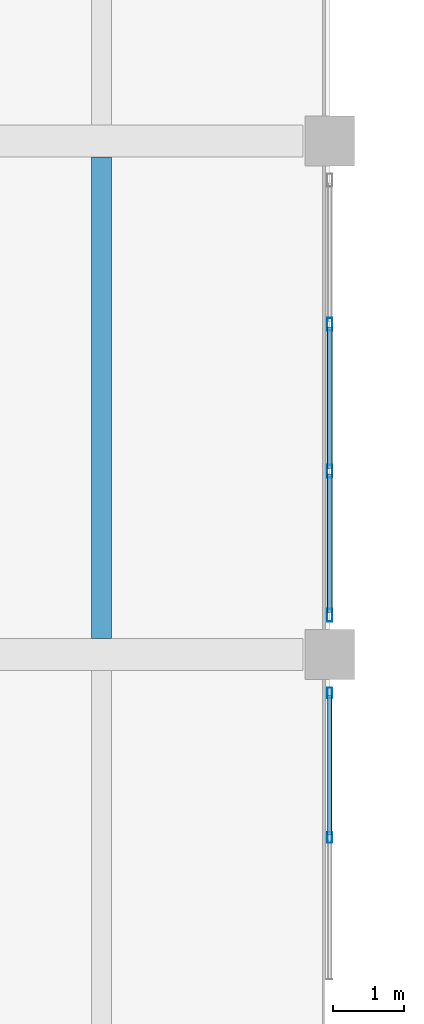
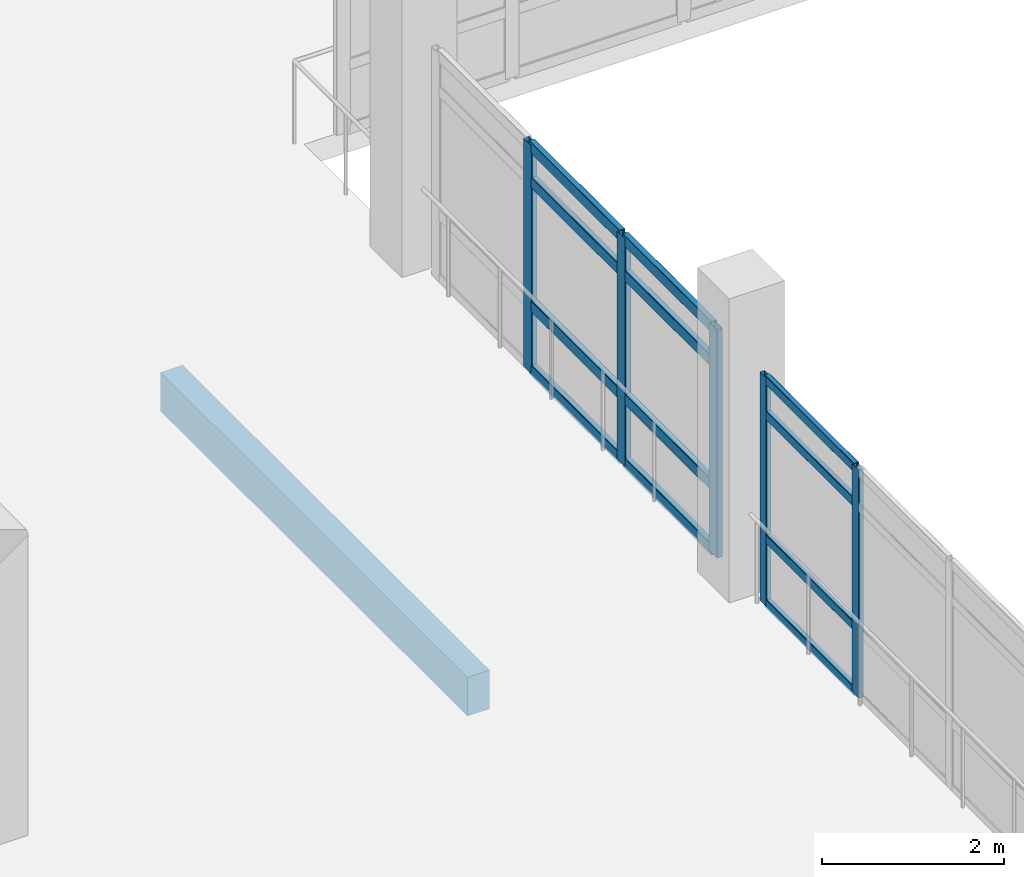
# One storey, part 59 of 180: 17 members, 1 beam, 2 elements without a shape of their own.
"""IFC4 building model written with IfcOpenShell, lengths in metres."""

from ifc_helpers import new_model, si_unit, direction, frame, origin, origin_2d, place, context, subcontext, project, spatial, rectangle, hollow_rectangle, extrude, material, layer, layer_set, material_profile, profile_set, type_object, element, aggregate, save


model = new_model("IFC4")

# Units and contexts
model_context = context("Model", 3, precision=1e-05, world=origin(), true_north=direction((0.0, 1.0)))
body_context = subcontext(model_context, "Body", "Model", "MODEL_VIEW")
ifc_project = project(units=[si_unit("LENGTHUNIT", "METRE"), si_unit("AREAUNIT", "SQUARE_METRE"), si_unit("VOLUMEUNIT", "CUBIC_METRE"), si_unit("PLANEANGLEUNIT", "RADIAN"), si_unit("MASSUNIT", "GRAM", prefix="KILO")], contexts=[model_context])

# Site, building, storey
site_placement = place(None, origin())
site = spatial("IfcSite", under=ifc_project, at=site_placement, CompositionType="ELEMENT")
building_placement = place(site_placement, origin())
building = spatial("IfcBuilding", under=site, at=building_placement, Name="Asteropetra Specialist Clinic", CompositionType="ELEMENT")
storey_placement = place(building_placement, frame((0.0, 0.0, 4.419921875)))
storey = spatial("IfcBuildingStorey", under=building, at=storey_placement, Name="L01", CompositionType="ELEMENT", Elevation=4.419921875)

# Curtain wall, members
ifc_material_1 = material(Name="Aluminium and low-E glass", Category="aluminium")
ifc_layer_1 = layer(ifc_material_1, 0.179931640625)
ifc_layer_set_1 = layer_set([ifc_layer_1], Name="Aluminium and low-E glass")
curtain_wall_type_1 = type_object("IfcCurtainWallType", Name="CW-SYS-10", PredefinedType="USERDEFINED", material=ifc_layer_set_1)
curtain_wall_1_placement = place(storey_placement, origin())
curtain_wall_1 = element("IfcCurtainWall", 1, at=curtain_wall_1_placement, inside=storey, type_object=curtain_wall_type_1, Name="Curtain Wall CW-073", ObjectType="STICK GLAZED COLONNADE", PredefinedType="USERDEFINED")
ifc_material_2 = material(Name="Aluminium 6063-T6", Category="aluminium")
ifc_material_profile_1 = material_profile(ifc_material_2, hollow_rectangle(XDim=0.06494140625, YDim=0.14990234375, WallThickness=0.00390625, InnerFilletRadius=0.00390625, OuterFilletRadius=0.008056640625, at=origin_2d()), Name="MUL 150x65x4.0")
ifc_profile_set_1 = profile_set([ifc_material_profile_1], Name="Aluminium 6063-T6")
member_type_1 = type_object("IfcMemberType", Name="CWM-150x65", PredefinedType="MULLION", material=ifc_profile_set_1)
member_1_placement = place(storey_placement, frame((124.800048828125, 25.857421875, 0.0), z_axis=(0.0, 0.0, 1.0), x_axis=(1.0, 0.0, 0.0)))
member_1 = element("IfcMember", 2, at=member_1_placement, type_object=member_type_1, Name="CW-073 mullion 1", PredefinedType="MULLION", context=body_context, shape_type="SweptSolid", body=[
    extrude(hollow_rectangle(XDim=0.06494140625, YDim=0.14990234375, WallThickness=0.00390625, InnerFilletRadius=0.00390625, OuterFilletRadius=0.008056640625, at=origin_2d()), origin(), (0.0, 0.0, 1.0), 3.06005859375),
])
member_2_placement = place(storey_placement, frame((124.800048828125, 23.830078125, 0.0), z_axis=(0.0, 0.0, 1.0), x_axis=(1.0, 0.0, 0.0)))
member_2 = element("IfcMember", 3, at=member_2_placement, type_object=member_type_1, Name="CW-073 mullion 2", PredefinedType="MULLION", context=body_context, shape_type="SweptSolid", body=[
    extrude(hollow_rectangle(XDim=0.06494140625, YDim=0.14990234375, WallThickness=0.00390625, InnerFilletRadius=0.00390625, OuterFilletRadius=0.008056640625, at=origin_2d()), origin(), (0.0, 0.0, 1.0), 3.06005859375),
])

ifc_material_3 = material(Name="Aluminium and low-E glass", Category="aluminium")
ifc_layer_2 = layer(ifc_material_3, 0.14990234375)
ifc_layer_set_2 = layer_set([ifc_layer_2], Name="Aluminium and low-E glass")
curtain_wall_type_2 = type_object("IfcCurtainWallType", Name="CW-SYS-11", PredefinedType="USERDEFINED", material=ifc_layer_set_2)
curtain_wall_2_placement = place(storey_placement, origin())
curtain_wall_2 = element("IfcCurtainWall", 4, at=curtain_wall_2_placement, inside=storey, type_object=curtain_wall_type_2, Name="Curtain Wall CW-075", ObjectType="STICK GLAZED COLONNADE", PredefinedType="USERDEFINED")
ifc_material_4 = material(Name="Aluminium 6063-T6", Category="aluminium")
ifc_material_profile_2 = material_profile(ifc_material_4, hollow_rectangle(XDim=0.074951171875, YDim=0.179931640625, WallThickness=0.00390625, InnerFilletRadius=0.00390625, OuterFilletRadius=0.008056640625, at=origin_2d()), Name="MUL 180x75x4.0")
ifc_profile_set_2 = profile_set([ifc_material_profile_2], Name="Aluminium 6063-T6")
member_type_2 = type_object("IfcMemberType", Name="CWM-180x75", PredefinedType="MULLION", material=ifc_profile_set_2)
member_3_placement = place(storey_placement, frame((124.800048828125, 31.030029296875, 0.0), z_axis=(0.0, 0.0, 1.0), x_axis=(1.0, 0.0, 0.0)))
member_3 = element("IfcMember", 5, at=member_3_placement, type_object=member_type_2, Name="CW-075 mullion 2", PredefinedType="MULLION", context=body_context, shape_type="SweptSolid", body=[
    extrude(hollow_rectangle(XDim=0.074951171875, YDim=0.179931640625, WallThickness=0.00390625, InnerFilletRadius=0.00390625, OuterFilletRadius=0.008056640625, at=origin_2d()), origin(), (0.0, 0.0, 1.0), 3.06005859375),
])
member_4_placement = place(storey_placement, frame((124.800048828125, 28.969970703125, 0.0), z_axis=(0.0, 0.0, 1.0), x_axis=(1.0, 0.0, 0.0)))
member_4 = element("IfcMember", 6, at=member_4_placement, type_object=member_type_2, Name="CW-075 mullion 3", PredefinedType="MULLION", context=body_context, shape_type="SweptSolid", body=[
    extrude(hollow_rectangle(XDim=0.074951171875, YDim=0.179931640625, WallThickness=0.00390625, InnerFilletRadius=0.00390625, OuterFilletRadius=0.008056640625, at=origin_2d()), origin(), (0.0, 0.0, 1.0), 3.06005859375),
])
member_5_placement = place(storey_placement, frame((124.800048828125, 26.947509765625, 0.0), z_axis=(0.0, 0.0, 1.0), x_axis=(1.0, 0.0, 0.0)))
member_5 = element("IfcMember", 7, at=member_5_placement, type_object=member_type_2, Name="CW-075 mullion 4", PredefinedType="MULLION", context=body_context, shape_type="SweptSolid", body=[
    extrude(hollow_rectangle(XDim=0.074951171875, YDim=0.179931640625, WallThickness=0.00390625, InnerFilletRadius=0.00390625, OuterFilletRadius=0.008056640625, at=origin_2d()), origin(), (0.0, 0.0, 1.0), 3.06005859375),
])

# Member
ifc_material_5 = material(Name="Aluminium 6063-T6", Category="aluminium")
ifc_material_profile_3 = material_profile(ifc_material_5, hollow_rectangle(XDim=0.06494140625, YDim=0.1201171875, WallThickness=0.00390625, InnerFilletRadius=0.00390625, OuterFilletRadius=0.008056640625, at=origin_2d()), Name="TRN 120x65x4.0")
ifc_profile_set_3 = profile_set([ifc_material_profile_3], Name="Aluminium 6063-T6")
member_type_3 = type_object("IfcMemberType", Name="CWT-120x65", PredefinedType="USERDEFINED", material=ifc_profile_set_3)
member_6_placement = place(storey_placement, frame((124.800048828125, 25.824951171875, 0.032470703125), z_axis=(0.0, -1.0, 0.0), x_axis=(1.0, 0.0, 0.0)))
member_6 = element("IfcMember", 8, at=member_6_placement, type_object=member_type_3, Name="CW-073 transom 1.1", ObjectType="TRANSOM", PredefinedType="USERDEFINED", context=body_context, shape_type="SweptSolid", body=[
    extrude(hollow_rectangle(XDim=0.06494140625, YDim=0.1201171875, WallThickness=0.00390625, InnerFilletRadius=0.00390625, OuterFilletRadius=0.008056640625, at=origin_2d()), origin(), (0.0, 0.0, 1.0), 1.96240234375),
])

member_7_placement = place(storey_placement, frame((124.800048828125, 25.824951171875, 0.900146484375), z_axis=(0.0, -1.0, 0.0), x_axis=(1.0, 0.0, 0.0)))
member_7 = element("IfcMember", 9, at=member_7_placement, type_object=member_type_3, Name="CW-073 transom 1.2", ObjectType="TRANSOM", PredefinedType="USERDEFINED", context=body_context, shape_type="SweptSolid", body=[
    extrude(hollow_rectangle(XDim=0.06494140625, YDim=0.1201171875, WallThickness=0.00390625, InnerFilletRadius=0.00390625, OuterFilletRadius=0.008056640625, at=origin_2d()), origin(), (0.0, 0.0, 1.0), 1.96240234375),
])

member_8_placement = place(storey_placement, frame((124.800048828125, 25.824951171875, 2.56005859375), z_axis=(0.0, -1.0, 0.0), x_axis=(1.0, 0.0, 0.0)))
member_8 = element("IfcMember", 10, at=member_8_placement, type_object=member_type_3, Name="CW-073 transom 1.3", ObjectType="TRANSOM", PredefinedType="USERDEFINED", context=body_context, shape_type="SweptSolid", body=[
    extrude(hollow_rectangle(XDim=0.06494140625, YDim=0.1201171875, WallThickness=0.00390625, InnerFilletRadius=0.00390625, OuterFilletRadius=0.008056640625, at=origin_2d()), origin(), (0.0, 0.0, 1.0), 1.96240234375),
])

member_9_placement = place(storey_placement, frame((124.800048828125, 25.824951171875, 3.027587890625), z_axis=(0.0, -1.0, 0.0), x_axis=(1.0, 0.0, 0.0)))
member_9 = element("IfcMember", 11, at=member_9_placement, type_object=member_type_3, Name="CW-073 transom 1.4", ObjectType="TRANSOM", PredefinedType="USERDEFINED", context=body_context, shape_type="SweptSolid", body=[
    extrude(hollow_rectangle(XDim=0.06494140625, YDim=0.1201171875, WallThickness=0.00390625, InnerFilletRadius=0.00390625, OuterFilletRadius=0.008056640625, at=origin_2d()), origin(), (0.0, 0.0, 1.0), 1.96240234375),
])

aggregate(curtain_wall_1, [member_1, member_2, member_6, member_7, member_8, member_9])

ifc_material_6 = material(Name="Aluminium 6063-T6", Category="aluminium")
ifc_material_profile_4 = material_profile(ifc_material_6, hollow_rectangle(XDim=0.074951171875, YDim=0.14990234375, WallThickness=0.00390625, InnerFilletRadius=0.00390625, OuterFilletRadius=0.008056640625, at=origin_2d()), Name="TRN 150x75x4.0")
ifc_profile_set_4 = profile_set([ifc_material_profile_4], Name="Aluminium 6063-T6")
member_type_4 = type_object("IfcMemberType", Name="CWT-150x75", PredefinedType="USERDEFINED", material=ifc_profile_set_4)
member_10_placement = place(storey_placement, frame((124.800048828125, 30.992431640625, 0.03759765625), z_axis=(0.0, -1.0, 0.0), x_axis=(1.0, 0.0, 0.0)))
member_10 = element("IfcMember", 12, at=member_10_placement, type_object=member_type_4, Name="CW-075 transom 2.1", ObjectType="TRANSOM", PredefinedType="USERDEFINED", context=body_context, shape_type="SweptSolid", body=[
    extrude(hollow_rectangle(XDim=0.074951171875, YDim=0.14990234375, WallThickness=0.00390625, InnerFilletRadius=0.00390625, OuterFilletRadius=0.008056640625, at=origin_2d()), origin(), (0.0, 0.0, 1.0), 1.98486328125),
])

member_11_placement = place(storey_placement, frame((124.800048828125, 30.992431640625, 0.900146484375), z_axis=(0.0, -1.0, 0.0), x_axis=(1.0, 0.0, 0.0)))
member_11 = element("IfcMember", 13, at=member_11_placement, type_object=member_type_4, Name="CW-075 transom 2.2", ObjectType="TRANSOM", PredefinedType="USERDEFINED", context=body_context, shape_type="SweptSolid", body=[
    extrude(hollow_rectangle(XDim=0.074951171875, YDim=0.14990234375, WallThickness=0.00390625, InnerFilletRadius=0.00390625, OuterFilletRadius=0.008056640625, at=origin_2d()), origin(), (0.0, 0.0, 1.0), 1.98486328125),
])

member_12_placement = place(storey_placement, frame((124.800048828125, 30.992431640625, 2.56005859375), z_axis=(0.0, -1.0, 0.0), x_axis=(1.0, 0.0, 0.0)))
member_12 = element("IfcMember", 14, at=member_12_placement, type_object=member_type_4, Name="CW-075 transom 2.3", ObjectType="TRANSOM", PredefinedType="USERDEFINED", context=body_context, shape_type="SweptSolid", body=[
    extrude(hollow_rectangle(XDim=0.074951171875, YDim=0.14990234375, WallThickness=0.00390625, InnerFilletRadius=0.00390625, OuterFilletRadius=0.008056640625, at=origin_2d()), origin(), (0.0, 0.0, 1.0), 1.98486328125),
])

member_13_placement = place(storey_placement, frame((124.800048828125, 30.992431640625, 3.0224609375), z_axis=(0.0, -1.0, 0.0), x_axis=(1.0, 0.0, 0.0)))
member_13 = element("IfcMember", 15, at=member_13_placement, type_object=member_type_4, Name="CW-075 transom 2.4", ObjectType="TRANSOM", PredefinedType="USERDEFINED", context=body_context, shape_type="SweptSolid", body=[
    extrude(hollow_rectangle(XDim=0.074951171875, YDim=0.14990234375, WallThickness=0.00390625, InnerFilletRadius=0.00390625, OuterFilletRadius=0.008056640625, at=origin_2d()), origin(), (0.0, 0.0, 1.0), 1.98486328125),
])

member_14_placement = place(storey_placement, frame((124.800048828125, 28.9326171875, 0.03759765625), z_axis=(0.0, -1.0, 0.0), x_axis=(1.0, 0.0, 0.0)))
member_14 = element("IfcMember", 16, at=member_14_placement, type_object=member_type_4, Name="CW-075 transom 3.1", ObjectType="TRANSOM", PredefinedType="USERDEFINED", context=body_context, shape_type="SweptSolid", body=[
    extrude(hollow_rectangle(XDim=0.074951171875, YDim=0.14990234375, WallThickness=0.00390625, InnerFilletRadius=0.00390625, OuterFilletRadius=0.008056640625, at=origin_2d()), origin(), (0.0, 0.0, 1.0), 1.947509765625),
])

member_15_placement = place(storey_placement, frame((124.800048828125, 28.9326171875, 0.900146484375), z_axis=(0.0, -1.0, 0.0), x_axis=(1.0, 0.0, 0.0)))
member_15 = element("IfcMember", 17, at=member_15_placement, type_object=member_type_4, Name="CW-075 transom 3.2", ObjectType="TRANSOM", PredefinedType="USERDEFINED", context=body_context, shape_type="SweptSolid", body=[
    extrude(hollow_rectangle(XDim=0.074951171875, YDim=0.14990234375, WallThickness=0.00390625, InnerFilletRadius=0.00390625, OuterFilletRadius=0.008056640625, at=origin_2d()), origin(), (0.0, 0.0, 1.0), 1.947509765625),
])

member_16_placement = place(storey_placement, frame((124.800048828125, 28.9326171875, 2.56005859375), z_axis=(0.0, -1.0, 0.0), x_axis=(1.0, 0.0, 0.0)))
member_16 = element("IfcMember", 18, at=member_16_placement, type_object=member_type_4, Name="CW-075 transom 3.3", ObjectType="TRANSOM", PredefinedType="USERDEFINED", context=body_context, shape_type="SweptSolid", body=[
    extrude(hollow_rectangle(XDim=0.074951171875, YDim=0.14990234375, WallThickness=0.00390625, InnerFilletRadius=0.00390625, OuterFilletRadius=0.008056640625, at=origin_2d()), origin(), (0.0, 0.0, 1.0), 1.947509765625),
])

member_17_placement = place(storey_placement, frame((124.800048828125, 28.9326171875, 3.0224609375), z_axis=(0.0, -1.0, 0.0), x_axis=(1.0, 0.0, 0.0)))
member_17 = element("IfcMember", 19, at=member_17_placement, type_object=member_type_4, Name="CW-075 transom 3.4", ObjectType="TRANSOM", PredefinedType="USERDEFINED", context=body_context, shape_type="SweptSolid", body=[
    extrude(hollow_rectangle(XDim=0.074951171875, YDim=0.14990234375, WallThickness=0.00390625, InnerFilletRadius=0.00390625, OuterFilletRadius=0.008056640625, at=origin_2d()), origin(), (0.0, 0.0, 1.0), 1.947509765625),
])

aggregate(curtain_wall_2, [member_3, member_4, member_5, member_10, member_11, member_12, member_13, member_14, member_15, member_16, member_17])

# Beam
ifc_material_7 = material(Name="Concrete C35/45", Category="concrete")
ifc_material_profile_5 = material_profile(ifc_material_7, rectangle(XDim=0.280029296875, YDim=0.52001953125, at=origin_2d()), Name="RCJ 280x520")
ifc_profile_set_5 = profile_set([ifc_material_profile_5], Name="Concrete C35/45")
beam_type = type_object("IfcBeamType", Name="JST-RC280x520", PredefinedType="JOIST", material=ifc_profile_set_5)
beam_placement = place(storey_placement, frame((121.60009765625, 26.625, -0.559814453125), z_axis=(0.0, 1.0, 0.0), x_axis=(-1.0, 0.0, 0.0)))
element("IfcBeam", 20, at=beam_placement, inside=storey, type_object=beam_type, Name="Joist JJST01-0504", PredefinedType="JOIST", context=body_context, shape_type="SweptSolid", body=[
    extrude(rectangle(XDim=0.280029296875, YDim=0.52001953125, at=origin_2d()), origin(), (0.0, 0.0, 1.0), 6.75),
])

save(model, "model.ifc")
